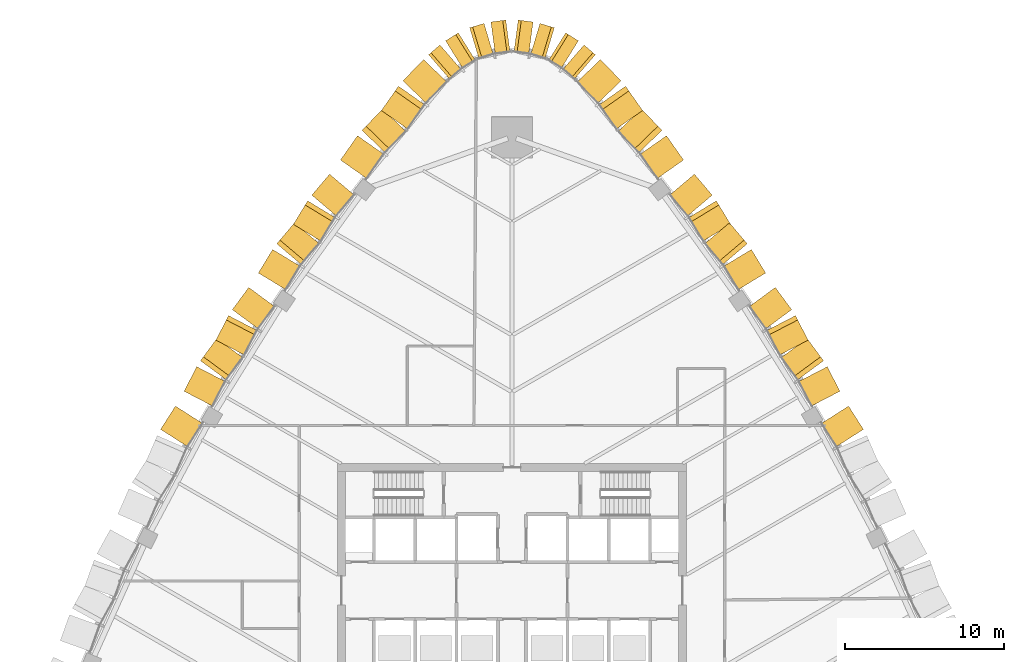
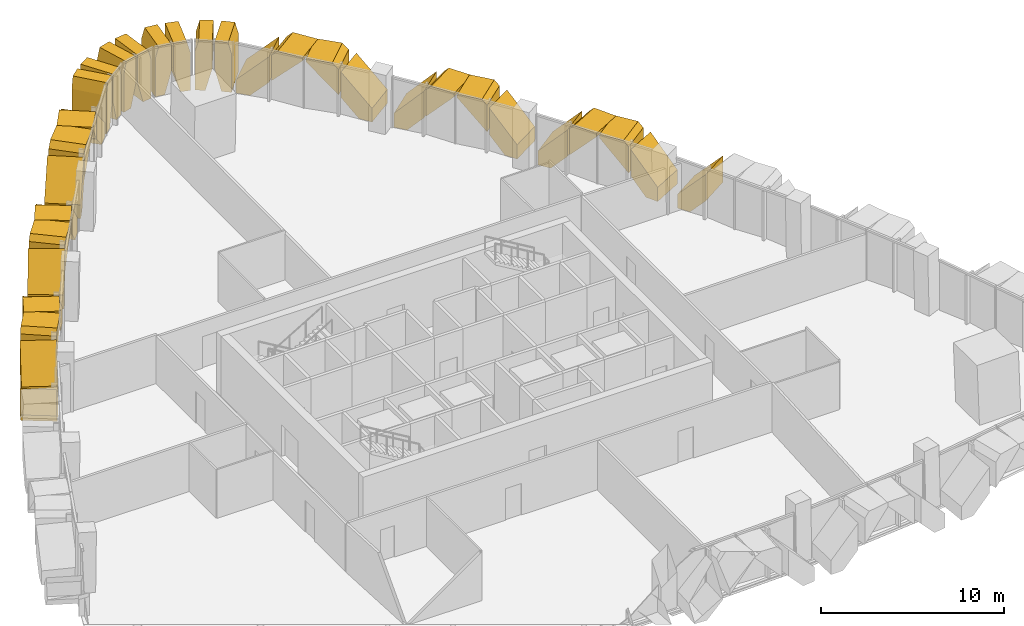
# One storey, part 17 of 18: 34 coverings.
"""IFC4 building model written with IfcOpenShell, lengths in metres."""

from ifc_helpers import new_model, si_unit, direction, frame, origin, place, context, subcontext, project, spatial, polyline, outline, extrude, material, layer, layer_set, type_object, element, save


model = new_model("IFC4")

# Units and contexts
model_context = context("Model", 3, precision=1e-05, world=origin(), true_north=direction((0.0, 1.0)))
body_context = subcontext(model_context, "Body", "Model", "MODEL_VIEW")
ifc_project = project(units=[si_unit("LENGTHUNIT", "METRE"), si_unit("AREAUNIT", "SQUARE_METRE"), si_unit("VOLUMEUNIT", "CUBIC_METRE"), si_unit("PLANEANGLEUNIT", "RADIAN"), si_unit("MASSUNIT", "GRAM", prefix="KILO")], contexts=[model_context])

# Site, building, storey
site_placement = place(None, origin())
site = spatial("IfcSite", under=ifc_project, at=site_placement, CompositionType="ELEMENT")
building_placement = place(site_placement, origin())
building = spatial("IfcBuilding", under=site, at=building_placement, Name="Sierra Prisma Convention Tower", CompositionType="ELEMENT")
storey_placement = place(building_placement, frame((0.0, 0.0, 137.800048828125)))
storey = spatial("IfcBuildingStorey", under=building, at=storey_placement, Name="L29", CompositionType="ELEMENT", Elevation=137.800048828125)

# Coverings
ifc_material = material(Name="Aluminium 6063-T6 bronze anodised", Category="aluminium")
ifc_layer = layer(ifc_material, 2.0)
ifc_layer_set = layer_set([ifc_layer], Name="Bronze crystal chevron frame")
covering_type = type_object("IfcCoveringType", Name="Bronze crystal chevron frame", PredefinedType="CLADDING", material=ifc_layer_set)
covering_1_placement = place(storey_placement, frame((21.21044921875, 11.622802734375, 0.0), z_axis=(0.842651139785, 0.538459893227, -2.445966e-06), x_axis=(2.061096e-06, 1.317054e-06, 0.999999999997)))
element("IfcCovering", 1, at=covering_1_placement, inside=storey, type_object=covering_type, Name="CW-2 chevron frame NE3.2.2", PredefinedType="CLADDING", context=body_context, shape_type="SweptSolid", body=[
    extrude(outline(polyline([(0.0, 0.0), (0.943359374997178, -1.9976411793155618e-22), (2.8095703124978852, 1.742432940516656), (1.0512695312531446, 1.742432940516656), (-1.6163350084938118e-11, 0.7608246078901659), (0.0, 0.0)])), origin(), (0.0, 0.0, -1.0), 2.0),
])
covering_2_placement = place(storey_placement, frame((20.6708984375, 12.557373046875, 0.0), z_axis=(0.88762357243, 0.460569639935, -2.0897913e-05), x_axis=(-0.460569640036, 0.887623572624, -1.55e-09)))
element("IfcCovering", 2, at=covering_2_placement, inside=storey, type_object=covering_type, Name="CW-2 chevron frame NE4.1.1", PredefinedType="CLADDING", context=body_context, shape_type="SweptSolid", body=[
    extrude(outline(polyline([(0.0, 0.0), (0.7610919014993257, -1.6940658945086007e-21), (1.7424286456771458, 1.0512695341807425), (1.7424286429513545, 2.8095703150467974), (-1.4624351943233821e-09, 0.9433593747940068), (0.0, 0.0)])), origin(), (0.0, 0.0, -1.0), 2.0),
])
covering_3_placement = place(storey_placement, frame((19.634033203125, 14.48046875, 2.94873046875), z_axis=(0.804635993489, 0.593768403758, 2.6085208e-05), x_axis=(2.0989098e-05, 1.5488573e-05, -0.99999999966)))
element("IfcCovering", 3, at=covering_3_placement, inside=storey, type_object=covering_type, Name="CW-2 chevron frame NE4.1.2", PredefinedType="CLADDING", context=body_context, shape_type="SweptSolid", body=[
    extrude(outline(polyline([(0.0, 0.0), (1.7583007806517925, 0.0), (-0.10791015643871525, 1.7425329609772362), (-0.33129882823771417, 1.7425329609772362), (-0.33129882958613116, 0.3095303520068428), (0.0, 0.0)])), origin(), (0.0, 0.0, -1.0), 2.0),
])
covering_4_placement = place(storey_placement, frame((18.6650390625, 15.777099609375, 3.280029296875), z_axis=(0.887662214303, 0.460495159615, -3.5642663e-05), x_axis=(-3.1638645e-05, -1.6413274e-05, -0.999999999365)))
element("IfcCovering", 4, at=covering_4_placement, inside=storey, type_object=covering_type, Name="CW-2 chevron frame NE4.2.1", PredefinedType="CLADDING", context=body_context, shape_type="SweptSolid", body=[
    extrude(outline(polyline([(0.0, 0.0), (0.2233886717331036, 0.0), (2.089599608468569, 1.7426453574243972), (0.33129882833544094, 1.7426453574243972), (-2.517537097098733e-09, 1.4331851120360097), (0.0, 0.0)])), origin(), (0.0, 0.0, -1.0), 2.0),
])
covering_5_placement = place(storey_placement, frame((16.59375, 19.1025390625, 0.0), z_axis=(0.804707144406, 0.593671972846, -1.9979283e-05), x_axis=(1.6077472e-05, 1.186114e-05, 0.9999999998)))
element("IfcCovering", 5, at=covering_5_placement, inside=storey, type_object=covering_type, Name="CW-2 chevron frame NE4.2.2", PredefinedType="CLADDING", context=body_context, shape_type="SweptSolid", body=[
    extrude(outline(polyline([(0.0, 0.0), (0.9433593748117187, 1.5981129434524495e-21), (2.8095703123588867, 1.7423880079824803), (1.0512695314598184, 1.7423880079824803), (-1.0784264225772877e-09, 0.7608639327532258), (0.0, 0.0)])), origin(), (0.0, 0.0, -1.0), 2.0),
])
covering_6_placement = place(storey_placement, frame((15.986083984375, 20.00927734375, 0.0), z_axis=(0.854869970621, 0.518842300825, -1.4288069e-05), x_axis=(-0.518842300878, 0.854869970709, -7.28e-10)))
element("IfcCovering", 6, at=covering_6_placement, inside=storey, type_object=covering_type, Name="CW-2 chevron frame NE5.1.1", PredefinedType="CLADDING", context=body_context, shape_type="SweptSolid", body=[
    extrude(outline(polyline([(0.0, 0.0), (0.7594020326493474, -1.6940658945086007e-21), (1.7349381426429176, 1.0490722669948729), (1.7349381413604579, 2.811035157440022), (-6.882314032316606e-10, 0.9455566405284829), (0.0, 0.0)])), origin(), (0.0, 0.0, -1.0), 2.0),
])
covering_7_placement = place(storey_placement, frame((14.826904296875, 21.85205078125, 2.950927734375), z_axis=(0.763153139274, 0.646217676304, -2.9112056e-05), x_axis=(-2.2216957e-05, -1.8812725e-05, -0.999999999576)))
element("IfcCovering", 7, at=covering_7_placement, inside=storey, type_object=covering_type, Name="CW-2 chevron frame NE5.1.2", PredefinedType="CLADDING", context=body_context, shape_type="SweptSolid", body=[
    extrude(outline(polyline([(0.0, 0.0), (1.7622070305032544, 0.0), (-0.1035156252350521, 1.7348659782435512), (-0.3291015626394587, 1.7348659782435512), (-0.32910156432413673, 0.30609713687093987), (0.0, 0.0)])), origin(), (0.0, 0.0, -1.0), 2.0),
])
covering_8_placement = place(storey_placement, frame((13.7783203125, 23.0751953125, 3.280029296875), z_axis=(0.854835552268, 0.518899006042, 1.029784e-05), x_axis=(8.802959e-06, 5.343539e-06, -0.999999999947)))
element("IfcCovering", 8, at=covering_8_placement, inside=storey, type_object=covering_type, Name="CW-2 chevron frame NE5.2.1", PredefinedType="CLADDING", context=body_context, shape_type="SweptSolid", body=[
    extrude(outline(polyline([(0.0, 0.0), (0.22558593748803882, 1.910787214997494e-22), (2.091308593674013, 1.734729438509241), (0.3291015625174499, 1.734729438509241), (-2.107964962217606e-10, 1.4288668334131636), (0.0, 0.0)])), origin(), (0.0, 0.0, -1.0), 2.0),
])
covering_9_placement = place(storey_placement, frame((11.497802734375, 26.241943359375, 0.0), z_axis=(0.763161702399, 0.646207564044, -1.2780453e-05), x_axis=(9.753552e-06, 8.258825e-06, 0.999999999918)))
element("IfcCovering", 9, at=covering_9_placement, inside=storey, type_object=covering_type, Name="CW-2 chevron frame NE5.2.2", PredefinedType="CLADDING", context=body_context, shape_type="SweptSolid", body=[
    extrude(outline(polyline([(0.0, 0.0), (0.9455566405477764, 1.601835256208938e-21), (2.811035156191778, 1.7348659782181972), (1.0490722657106777, 1.7348659782181972), (-4.4224615259654953e-10, 0.7594294642281237), (0.0, 0.0)])), origin(), (0.0, 0.0, -1.0), 2.0),
])
covering_10_placement = place(storey_placement, frame((10.81298828125, 27.130859375, 0.0), z_axis=(0.818139577311, 0.575019678458, 3.7726783e-05), x_axis=(-0.575019678867, 0.818139577893, -4.713e-09)))
element("IfcCovering", 10, at=covering_10_placement, inside=storey, type_object=covering_type, Name="CW-2 chevron frame NE6.1.1", PredefinedType="CLADDING", context=body_context, shape_type="SweptSolid", body=[
    extrude(outline(polyline([(0.0, 0.0), (0.7877319311369688, 3.3881317890172014e-21), (1.8710563616227915, 1.0854492283398796), (1.871056353617469, 2.78417969588097), (-4.285689448369692e-09, 0.909423827477804), (0.0, 0.0)])), origin(), (0.0, 0.0, -1.0), 2.0),
])
covering_11_placement = place(storey_placement, frame((9.45458984375, 29.00341796875, 2.91455078125), z_axis=(0.718046087351, 0.695995557763, -3.823942e-06), x_axis=(-2.745767e-06, -2.661447e-06, -0.999999999993)))
element("IfcCovering", 11, at=covering_11_placement, inside=storey, type_object=covering_type, Name="CW-2 chevron frame NE6.1.2", PredefinedType="CLADDING", context=body_context, shape_type="SweptSolid", body=[
    extrude(outline(polyline([(0.0, 0.0), (1.6987304687375802, 0.0), (-0.17578125000405903, 1.871056622034763), (-0.36547851562767214, 1.871056622034763), (-0.3654785156552857, 0.3648190507352712), (0.0, 0.0)])), origin(), (0.0, 0.0, -1.0), 2.0),
])
covering_12_placement = place(storey_placement, frame((8.231689453125, 30.251220703125, 3.280029296875), z_axis=(0.818127936887, 0.575036241306, -8.406728e-06), x_axis=(-6.877779e-06, -4.834173e-06, -0.999999999965)))
element("IfcCovering", 12, at=covering_12_placement, inside=storey, type_object=covering_type, Name="CW-2 chevron frame NE6.2.1", PredefinedType="CLADDING", context=body_context, shape_type="SweptSolid", body=[
    extrude(outline(polyline([(0.0, 0.0), (0.18969726561829675, 0.0), (2.0642089843278875, 1.8710563671836122), (0.3654785156379148, 1.8710563671836122), (-1.3346098548815176e-10, 1.5063814476987938), (0.0, 0.0)])), origin(), (0.0, 0.0, -1.0), 2.0),
])
covering_13_placement = place(storey_placement, frame((5.571044921875, 33.46728515625, 0.0), z_axis=(0.718098486591, 0.695941493565, 3.3020715e-05), x_axis=(-2.3712125e-05, -2.2980485e-05, 0.999999999455)))
element("IfcCovering", 13, at=covering_13_placement, inside=storey, type_object=covering_type, Name="CW-2 chevron frame NE6.2.2", PredefinedType="CLADDING", context=body_context, shape_type="SweptSolid", body=[
    extrude(outline(polyline([(0.0, 0.0), (0.9094238276291968, 0.0), (2.784179687165649, 1.8708867092455383), (1.0854492193417693, 1.8708867092455383), (-2.8438469201583796e-09, 0.7878219701507281), (0.0, 0.0)])), origin(), (0.0, 0.0, -1.0), 2.0),
])
covering_14_placement = place(storey_placement, frame((5.255126953125, 33.765869140625, 0.0), z_axis=(0.654281754899, 0.756250874464, -8.854328e-06), x_axis=(-0.756250874494, 0.654281754925, -1.914e-09)))
element("IfcCovering", 14, at=covering_14_placement, inside=storey, type_object=covering_type, Name="CW-2 chevron frame N1.1.1", PredefinedType="CLADDING", context=body_context, shape_type="SweptSolid", body=[
    extrude(outline(polyline([(0.0, 0.0), (0.5609739984184737, 8.470329472543003e-22), (0.9436523078920687, 1.431884767575577), (0.9436523043552072, 3.2800292987531305), (0.19524441190999156, 3.2800292964256146), (-4.8787196169580555e-09, 2.549316406150068), (0.0, 0.0)])), origin(), (0.0, 0.0, -1.0), 2.0),
])
covering_15_placement = place(storey_placement, frame((4.184326171875, 34.64599609375, 3.280029296875), z_axis=(0.527890797557, 0.849312254573, 9.30015e-06), x_axis=(4.909463e-06, 7.898731e-06, -0.999999999957)))
element("IfcCovering", 15, at=covering_15_placement, inside=storey, type_object=covering_type, Name="CW-2 chevron frame N1.1.2", PredefinedType="CLADDING", context=body_context, shape_type="SweptSolid", body=[
    extrude(outline(polyline([(0.0, 0.0), (1.8481445311700744, 0.0), (3.2800292973836016, 0.3823610811107593), (3.2800292968680247, 0.9434423942120371), (0.7307128907282736, 0.9434423942120371), (1.9863144230686608e-10, 0.7482634544027594), (0.0, 0.0)])), origin(), (0.0, 0.0, -1.0), 2.0),
])
covering_16_placement = place(storey_placement, frame((2.666015625, 35.467041015625, 0.0), z_axis=(0.28595878703, 0.958241917126, 1.9586793e-05), x_axis=(-0.95824191731, 0.285958787084, 9.91e-10)))
element("IfcCovering", 16, at=covering_16_placement, inside=storey, type_object=covering_type, Name="CW-2 chevron frame N2.1.1", PredefinedType="CLADDING", context=body_context, shape_type="SweptSolid", body=[
    extrude(outline(polyline([(0.0, 0.0), (0.5610165100171476, 0.0), (0.9434458704444016, 1.431884764644882), (0.9434458722766267, 3.2800292955403685), (0.19512009898283375, 3.280029298755482), (2.5273571852109588e-09, 2.549316405760987), (0.0, 0.0)])), origin(), (0.0, 0.0, -1.0), 2.0),
])
covering_17_placement = place(storey_placement, frame((1.328369140625, 35.829833984375, 3.280029296875), z_axis=(0.132726361302, 0.991152719301, -6.112261e-06), x_axis=(-8.11258e-07, -6.058184e-06, -0.999999999981)))
element("IfcCovering", 17, at=covering_17_placement, inside=storey, type_object=covering_type, Name="CW-2 chevron frame N2.1.2", PredefinedType="CLADDING", context=body_context, shape_type="SweptSolid", body=[
    extrude(outline(polyline([(0.0, 0.0), (1.848144531215477, -1.956799136570756e-22), (3.2800292967604165, 0.3825359512340954), (3.2800292968336437, 0.9436510476228124), (0.7307128906312647, 0.9436510476228124), (-2.6333924592608276e-10, 0.7483255835801338), (0.0, 0.0)])), origin(), (0.0, 0.0, -1.0), 2.0),
])
covering_18_placement = place(storey_placement, frame((-0.39306640625, 35.955078125, 0.0), z_axis=(-0.132726361302, 0.991152719301, -6.112261e-06), x_axis=(-0.99115271932, -0.132726361305, 1.31e-10)))
element("IfcCovering", 18, at=covering_18_placement, inside=storey, type_object=covering_type, Name="CW-2 chevron frame N3.1.1", PredefinedType="CLADDING", context=body_context, shape_type="SweptSolid", body=[
    extrude(outline(polyline([(0.0, 0.0), (0.561115096388717, 5.293955920339377e-23), (0.9436510478096778, 1.4318847654950175), (0.9436510480508663, 3.280029296710494), (0.19532546447073248, 3.280029297071492), (3.32693622455828e-10, 2.549316406202379), (0.0, 0.0)])), origin(), (0.0, 0.0, -1.0), 2.0),
])
covering_19_placement = place(storey_placement, frame((-1.761962890625, 35.73681640625, 3.280029296875), z_axis=(-0.28595878703, 0.958241917126, 1.9586793e-05), x_axis=(-5.601016e-06, 1.8768886e-05, -0.999999999808)))
element("IfcCovering", 19, at=covering_19_placement, inside=storey, type_object=covering_type, Name="CW-2 chevron frame N3.1.2", PredefinedType="CLADDING", context=body_context, shape_type="SweptSolid", body=[
    extrude(outline(polyline([(0.0, 0.0), (1.8481445308954867, 0.0), (3.280029295919504, 0.38242935900770325), (3.280029296475688, 0.9434458690248507), (0.730712890714701, 0.9434458690248507), (-2.4732333987807523e-09, 0.7483257732937929), (0.0, 0.0)])), origin(), (0.0, 0.0, -1.0), 2.0),
])
covering_20_placement = place(storey_placement, frame((-3.383056640625, 35.14404296875, 0.0), z_axis=(-0.527890797557, 0.849312254573, 9.30015e-06), x_axis=(-0.84931225461, -0.52789079758, -9.19e-10)))
element("IfcCovering", 20, at=covering_20_placement, inside=storey, type_object=covering_type, Name="CW-2 chevron frame N4.1.1", PredefinedType="CLADDING", context=body_context, shape_type="SweptSolid", body=[
    extrude(outline(polyline([(0.0, 0.0), (0.561081313101278, 0.0), (0.9434423928962797, 1.4318847665648786), (0.9434423911980213, 3.280029297734953), (0.19517893679526177, 3.280029296848743), (-2.3425646223340143e-09, 2.549316406139751), (0.0, 0.0)])), origin(), (0.0, 0.0, -1.0), 2.0),
])
covering_21_placement = place(storey_placement, frame((-4.54150390625, 34.38330078125, 3.280029296875), z_axis=(-0.654281754899, 0.756250874464, -8.854328e-06), x_axis=(5.793225e-06, -6.696093e-06, -0.999999999961)))
element("IfcCovering", 21, at=covering_21_placement, inside=storey, type_object=covering_type, Name="CW-2 chevron frame N4.1.2", PredefinedType="CLADDING", context=body_context, shape_type="SweptSolid", body=[
    extrude(outline(polyline([(0.0, 0.0), (1.8481445311775535, -1.5654393092566049e-21), (3.2800292980207852, 0.382678312213845), (3.280029296947229, 0.9436523106323188), (0.730712890797161, 0.9436523106323188), (8.952605934122503e-10, 0.7484078924452158), (0.0, 0.0)])), origin(), (0.0, 0.0, -1.0), 2.0),
])
covering_22_placement = place(storey_placement, frame((-5.571044921875, 33.46728515625, 0.0), z_axis=(-0.718098486591, 0.695941493565, 3.3020715e-05), x_axis=(-0.695941493944, -0.718098486982, -3.61e-09)))
element("IfcCovering", 22, at=covering_22_placement, inside=storey, type_object=covering_type, Name="CW-2 chevron frame NW1.1.1", PredefinedType="CLADDING", context=body_context, shape_type="SweptSolid", body=[
    extrude(outline(polyline([(0.0, 0.0), (0.7878219701507282, -3.3881317890172014e-21), (1.8708867053273295, 1.085449226095218), (1.870886699195323, 2.7841796939190977), (-3.2828002382643337e-09, 0.9094238276291968), (0.0, 0.0)])), origin(), (0.0, 0.0, -1.0), 2.0),
])
covering_23_placement = place(storey_placement, frame((-7.15576171875, 31.781982421875, 2.91455078125), z_axis=(-0.818127936887, 0.575036241306, -8.406728e-06), x_axis=(6.877779e-06, -4.834173e-06, -0.999999999965)))
element("IfcCovering", 23, at=covering_23_placement, inside=storey, type_object=covering_type, Name="CW-2 chevron frame NW1.1.2", PredefinedType="CLADDING", context=body_context, shape_type="SweptSolid", body=[
    extrude(outline(polyline([(0.0, 0.0), (1.6987304686899727, 0.0), (-0.17578125001961797, 1.8710563671836122), (-0.3654785156379148, 1.8710563671836122), (-0.36547851577137574, 0.3646749194848183), (0.0, 0.0)])), origin(), (0.0, 0.0, -1.0), 2.0),
])
covering_24_placement = place(storey_placement, frame((-8.15234375, 30.346923828125, 3.280029296875), z_axis=(-0.718046087351, 0.695995557763, -3.823942e-06), x_axis=(2.745767e-06, -2.661447e-06, -0.999999999993)))
element("IfcCovering", 24, at=covering_24_placement, inside=storey, type_object=covering_type, Name="CW-2 chevron frame NW1.2.1", PredefinedType="CLADDING", context=body_context, shape_type="SweptSolid", body=[
    extrude(outline(polyline([(0.0, 0.0), (0.18969726562361308, 0.0), (2.0642089843652522, 1.871056622034763), (0.36547851562767214, 1.871056622034763), (-2.7613599694778192e-11, 1.506237571299492), (0.0, 0.0)])), origin(), (0.0, 0.0, -1.0), 2.0),
])
covering_25_placement = place(storey_placement, frame((-10.81298828125, 27.130859375, 0.0), z_axis=(-0.818139577311, 0.575019678458, 3.7726783e-05), x_axis=(3.0865774e-05, -2.1693642e-05, 0.999999999288)))
element("IfcCovering", 25, at=covering_25_placement, inside=storey, type_object=covering_type, Name="CW-2 chevron frame NW1.2.2", PredefinedType="CLADDING", context=body_context, shape_type="SweptSolid", body=[
    extrude(outline(polyline([(0.0, 0.0), (0.9094238274778039, -3.081247781760028e-21), (2.7841796870635553, 1.871056366738007), (1.0854492195224654, 1.871056366738007), (-3.712212417808638e-09, 0.7877319311369689), (0.0, 0.0)])), origin(), (0.0, 0.0, -1.0), 2.0),
])
covering_26_placement = place(storey_placement, frame((-11.498779296875, 26.240478515625, 0.0), z_axis=(-0.763120534798, 0.646256178641, -3.0640327e-05), x_axis=(-0.646256178944, -0.763120535156, -3.348e-09)))
element("IfcCovering", 26, at=covering_26_placement, inside=storey, type_object=covering_type, Name="CW-2 chevron frame NW2.1.1", PredefinedType="CLADDING", context=body_context, shape_type="SweptSolid", body=[
    extrude(outline(polyline([(0.0, 0.0), (0.7594294604828273, -1.6940658945086007e-21), (1.7343355772043925, 1.0488281312989307), (1.7343355713036657, 2.81127930234661), (-3.166562684068824e-09, 0.9458007808060269), (0.0, 0.0)])), origin(), (0.0, 0.0, -1.0), 2.0),
])
covering_27_placement = place(storey_placement, frame((-12.87890625, 24.55712890625, 2.951171875), z_axis=(-0.854860719703, 0.518857542966, 3.89429e-06), x_axis=(-3.329076e-06, 2.020582e-06, -0.999999999992)))
element("IfcCovering", 27, at=covering_27_placement, inside=storey, type_object=covering_type, Name="CW-2 chevron frame NW2.1.2", PredefinedType="CLADDING", context=body_context, shape_type="SweptSolid", body=[
    extrude(outline(polyline([(0.0, 0.0), (1.7624511718616358, -7.4642710525253835e-22), (-0.10302734375420607, 1.7343940561978457), (-0.32885742187749367, 1.7343940561978457), (-0.32885742190764694, 0.30586260589353814), (0.0, 0.0)])), origin(), (0.0, 0.0, -1.0), 2.0),
])
covering_28_placement = place(storey_placement, frame((-13.706298828125, 23.17529296875, 3.280029296875), z_axis=(-0.763112314336, 0.646265885507, 3.0638296e-05), x_axis=(-2.3380461e-05, 1.9800486e-05, -0.999999999531)))
element("IfcCovering", 28, at=covering_28_placement, inside=storey, type_object=covering_type, Name="CW-2 chevron frame NW2.2.1", PredefinedType="CLADDING", context=body_context, shape_type="SweptSolid", body=[
    extrude(outline(polyline([(0.0, 0.0), (0.22583007801900606, 0.0), (2.091308593077139, 1.7343355809843626), (0.3288574220293501, 1.7343355809843626), (-1.8664099185059576e-09, 1.428424755702642), (0.0, 0.0)])), origin(), (0.0, 0.0, -1.0), 2.0),
])
covering_29_placement = place(storey_placement, frame((-15.986083984375, 20.00927734375, 0.0), z_axis=(-0.854879229001, 0.518827042939, 5.7776147e-05), x_axis=(4.9391628e-05, -2.9975827e-05, 0.999999998331)))
element("IfcCovering", 29, at=covering_29_placement, inside=storey, type_object=covering_type, Name="CW-2 chevron frame NW2.2.2", PredefinedType="CLADDING", context=body_context, shape_type="SweptSolid", body=[
    extrude(outline(polyline([(0.0, 0.0), (0.9458007796714192, 0.0), (2.811279295683933, 1.7343940551397279), (1.0488281267505377, 1.7343940551397279), (-9.040370215999277e-09, 0.7592753650792422), (0.0, 0.0)])), origin(), (0.0, 0.0, -1.0), 2.0),
])
covering_30_placement = place(storey_placement, frame((-16.59375, 19.102294921875, 0.0), z_axis=(-0.804627664178, 0.593779691312, 1.5031681e-05), x_axis=(-0.593779691379, -0.804627664268, -8.02e-10)))
element("IfcCovering", 30, at=covering_30_placement, inside=storey, type_object=covering_type, Name="CW-2 chevron frame NW3.1.1", PredefinedType="CLADDING", context=body_context, shape_type="SweptSolid", body=[
    extrude(outline(polyline([(0.0, 0.0), (0.7610088844549376, 0.0), (1.7425329600837367, 1.0512695327665424), (1.742532958673314, 2.809570313817897), (-7.56716609788904e-10, 0.9433593748934233), (0.0, 0.0)])), origin(), (0.0, 0.0, -1.0), 2.0),
])
covering_31_placement = place(storey_placement, frame((-17.86279296875, 17.32373046875, 2.94873046875), z_axis=(-0.887627674521, 0.460561734239, 1.9469605e-05), x_axis=(-1.728176e-05, 8.966955e-06, -0.99999999981)))
element("IfcCovering", 31, at=covering_31_placement, inside=storey, type_object=covering_type, Name="CW-2 chevron frame NW3.1.2", PredefinedType="CLADDING", context=body_context, shape_type="SweptSolid", body=[
    extrude(outline(polyline([(0.0, 0.0), (1.7583007809167444, 0.0), (-0.10791015635513146, 1.7424286474334285), (-0.331298828187792, 1.7424286474334285), (-0.3312988289389821, 0.3091311028962443), (0.0, 0.0)])), origin(), (0.0, 0.0, -1.0), 2.0),
])
covering_32_placement = place(storey_placement, frame((-18.599609375, 15.882568359375, 3.280029296875), z_axis=(-0.804702100143, 0.593678810195, 1.8711391e-05), x_axis=(-1.5057096e-05, 1.1108556e-05, -0.999999999825)))
element("IfcCovering", 32, at=covering_32_placement, inside=storey, type_object=covering_type, Name="CW-2 chevron frame NW3.2.1", PredefinedType="CLADDING", context=body_context, shape_type="SweptSolid", body=[
    extrude(outline(polyline([(0.0, 0.0), (0.223388671835894, -3.7843513024301016e-22), (2.089599609125192, 1.7423880080980465), (0.3312988281829965, 1.7423880080980465), (-6.938214944438151e-10, 1.4331990663171505), (0.0, 0.0)])), origin(), (0.0, 0.0, -1.0), 2.0),
])
covering_33_placement = place(storey_placement, frame((-20.6708984375, 12.557373046875, 0.0), z_axis=(-0.887613685399, 0.460588691029, -5.6473238e-05), x_axis=(-5.0126419e-05, 2.6010935e-05, 0.999999998405)))
element("IfcCovering", 33, at=covering_33_placement, inside=storey, type_object=covering_type, Name="CW-2 chevron frame NW3.2.2", PredefinedType="CLADDING", context=body_context, shape_type="SweptSolid", body=[
    extrude(outline(polyline([(0.0, 0.0), (0.9433593734957066, 0.0), (2.8095703113725587, 1.742428646433955), (1.0512695329263684, 1.742428646433955), (-8.616206352471514e-09, 0.7608751999755815), (0.0, 0.0)])), origin(), (0.0, 0.0, -1.0), 2.0),
])
covering_34_placement = place(storey_placement, frame((-21.21044921875, 11.622802734375, 0.0), z_axis=(-0.842651139785, 0.538459893227, -2.445966e-06), x_axis=(-0.538459893228, -0.842651139787, -2.1e-11)))
element("IfcCovering", 34, at=covering_34_placement, inside=storey, type_object=covering_type, Name="CW-2 chevron frame NW4.1.1", PredefinedType="CLADDING", context=body_context, shape_type="SweptSolid", body=[
    extrude(outline(polyline([(0.0, 0.0), (0.7608246078901659, 0.0), (1.7424329404943224, 1.051269531290162), (1.742432940456968, 2.8095703125349023), (-2.0041212752539577e-11, 0.9433593749971781), (0.0, 0.0)])), origin(), (0.0, 0.0, -1.0), 2.0),
])

save(model, "model.ifc")
